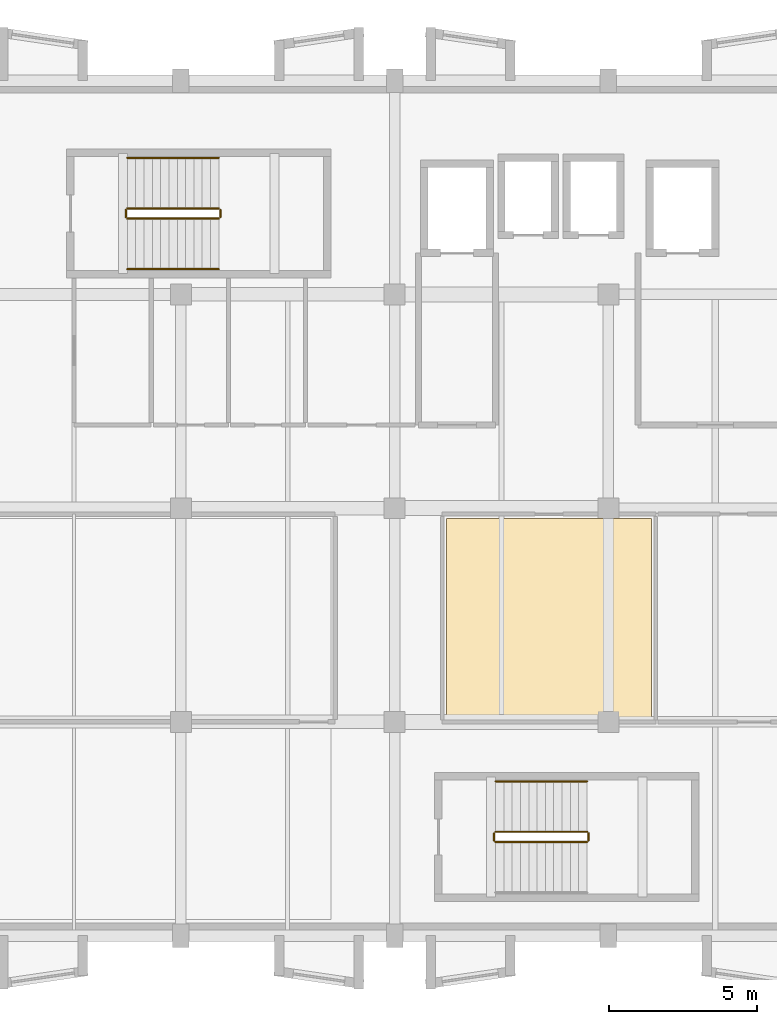
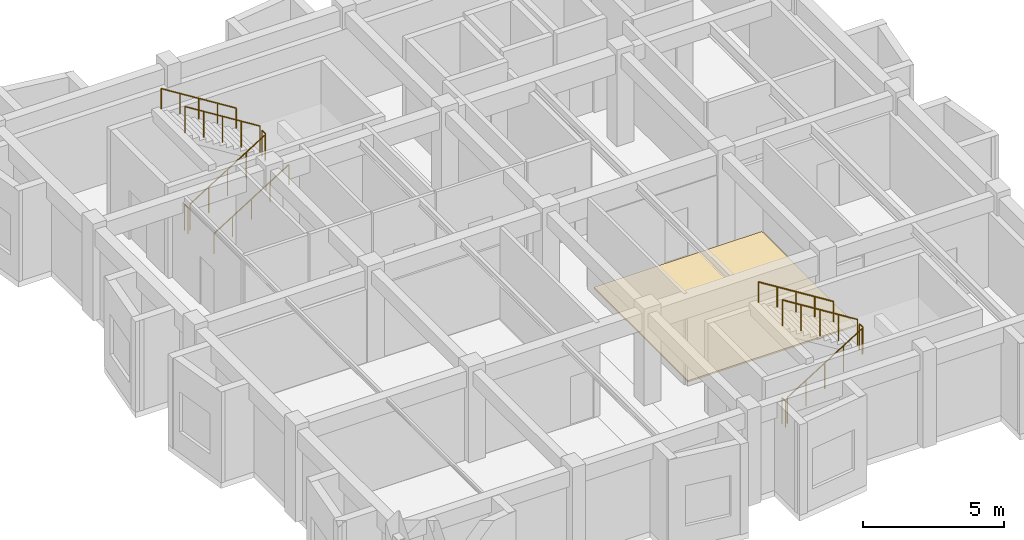
# One storey, part 99 of 99: 11 railings, 1 covering.
"""IFC4 building model written with IfcOpenShell, lengths in metres."""

from ifc_helpers import new_model, si_unit, direction, frame, origin, origin_2d, place, context, subcontext, project, spatial, polyline, circle, outline, extrude, material, layer, layer_set, type_object, element, save


model = new_model("IFC4")

# Units and contexts
model_context = context("Model", 3, precision=1e-05, world=origin(), true_north=direction((0.0, 1.0)))
body_context = subcontext(model_context, "Body", "Model", "MODEL_VIEW")
ifc_project = project(units=[si_unit("LENGTHUNIT", "METRE"), si_unit("AREAUNIT", "SQUARE_METRE"), si_unit("VOLUMEUNIT", "CUBIC_METRE"), si_unit("PLANEANGLEUNIT", "RADIAN"), si_unit("MASSUNIT", "GRAM", prefix="KILO")], contexts=[model_context])

# Site, building, storey
site_placement = place(None, origin())
site = spatial("IfcSite", under=ifc_project, at=site_placement, CompositionType="ELEMENT")
building_placement = place(site_placement, origin())
building = spatial("IfcBuilding", under=site, at=building_placement, Name="Bramveld Media Centre", CompositionType="ELEMENT")
storey_placement = place(building_placement, frame((0.0, 0.0, 13.800048828125)))
storey = spatial("IfcBuildingStorey", under=building, at=storey_placement, Name="L03", CompositionType="ELEMENT", Elevation=13.800048828125)

# Covering
ifc_material_1 = material(Name="Floating acoustic screed with smoked European oak studio flooring")
ifc_layer = layer(ifc_material_1, 0.06494140625)
ifc_layer_set = layer_set([ifc_layer], Name="Floating acoustic screed with smoked European oak studio flooring")
covering_type = type_object("IfcCoveringType", Name="COV-FLOOR-01", PredefinedType="FLOORING", material=ifc_layer_set)
covering_placement = place(storey_placement, origin())
element("IfcCovering", 1, at=covering_placement, inside=storey, type_object=covering_type, Name="Foley & Voice-Over Studio 4 finish flooring", PredefinedType="FLOORING", context=body_context, shape_type="SweptSolid", body=[
    extrude(outline(polyline([(147.35009765625, 90.550048828125), (154.25, 90.550048828125), (154.25, 97.25), (147.35009765625, 97.25), (147.35009765625, 90.550048828125)])), origin(), (0.0, 0.0, 1.0), 0.06494140625),
])

# Railings
ifc_material_2 = material(Name="Painted galvanized steel stairwell guardrail", Category="steel")
railing_type_1 = type_object("IfcRailingType", Name="RAIL-STAIR-GUARD-1150", PredefinedType="GUARDRAIL", material=ifc_material_2)
railing_1_placement = place(storey_placement, frame((136.60009765625, 107.35009765625, 0.175048828125)))
element("IfcRailing", 2, at=railing_1_placement, inside=storey, type_object=railing_type_1, Name="L03 ST-01 stair guard 1", PredefinedType="GUARDRAIL", context=body_context, shape_type="SweptSolid", body=[
    extrude(circle(Radius=0.02392578125, at=origin_2d()), frame((0.0, 0.0, 1.1259765625), z_axis=(0.848009633417, 0.0, 0.529980812513), x_axis=(0.0, 1.0, 0.0)), (0.0, 0.0, 1.0), 3.6318359375),
    extrude(circle(Radius=0.02099609375, at=origin_2d()), origin(), (0.0, 0.0, 1.0), 1.101806640625),
    extrude(circle(Radius=0.02099609375, at=origin_2d()), frame((0.77001953125, 0.0, 0.481201171875)), (0.0, 0.0, 1.0), 1.101806640625),
    extrude(circle(Radius=0.02099609375, at=origin_2d()), frame((1.5400390625, 0.0, 0.96240234375)), (0.0, 0.0, 1.0), 1.101806640625),
    extrude(circle(Radius=0.02099609375, at=origin_2d()), frame((2.309814453125, 0.0, 1.443603515625)), (0.0, 0.0, 1.0), 1.101806640625),
    extrude(circle(Radius=0.02099609375, at=origin_2d()), frame((3.079833984375, 0.0, 1.9248046875)), (0.0, 0.0, 1.0), 1.101806640625),
])
railing_2_placement = place(storey_placement, frame((139.72998046875, 107.39990234375, 2.099853515625)))
element("IfcRailing", 3, at=railing_2_placement, inside=storey, type_object=railing_type_1, Name="L03 ST-01 stair guard 2", PredefinedType="GUARDRAIL", context=body_context, shape_type="SweptSolid", body=[
    extrude(circle(Radius=0.02392578125, at=origin_2d()), frame((0.0, 0.0, 1.1259765625), z_axis=(0.0, 1.0, 0.0), x_axis=(-1.0, 0.0, 0.0)), (0.0, 0.0, 1.0), 0.25),
    extrude(circle(Radius=0.02099609375, at=origin_2d()), origin(), (0.0, 0.0, 1.0), 1.101806640625),
    extrude(circle(Radius=0.02099609375, at=origin_2d()), frame((0.0, 0.25, 0.0)), (0.0, 0.0, 1.0), 1.101806640625),
])
railing_3_placement = place(storey_placement, frame((139.679931640625, 107.699951171875, 2.27490234375)))
element("IfcRailing", 4, at=railing_3_placement, inside=storey, type_object=railing_type_1, Name="L03 ST-01 stair guard 3", PredefinedType="GUARDRAIL", context=body_context, shape_type="SweptSolid", body=[
    extrude(circle(Radius=0.02392578125, at=origin_2d()), frame((0.0, 0.0, 1.1259765625), z_axis=(-0.847979421464, 0.0, 0.530029150871), x_axis=(0.0, -1.0, 0.0)), (0.0, 0.0, 1.0), 3.632080078125),
    extrude(circle(Radius=0.02099609375, at=origin_2d()), origin(), (0.0, 0.0, 1.0), 1.101806640625),
    extrude(circle(Radius=0.02099609375, at=origin_2d()), frame((-0.77001953125, 0.0, 0.481201171875)), (0.0, 0.0, 1.0), 1.101806640625),
    extrude(circle(Radius=0.02099609375, at=origin_2d()), frame((-1.5400390625, 0.0, 0.96240234375)), (0.0, 0.0, 1.0), 1.101806640625),
    extrude(circle(Radius=0.02099609375, at=origin_2d()), frame((-2.309814453125, 0.0, 1.44384765625)), (0.0, 0.0, 1.0), 1.101806640625),
    extrude(circle(Radius=0.02099609375, at=origin_2d()), frame((-3.079833984375, 0.0, 1.925048828125)), (0.0, 0.0, 1.0), 1.101806640625),
])
railing_4_placement = place(storey_placement, frame((136.550048828125, 107.39990234375, 0.0)))
element("IfcRailing", 5, at=railing_4_placement, inside=storey, type_object=railing_type_1, Name="L03 ST-01 stair guard 4", PredefinedType="GUARDRAIL", context=body_context, shape_type="SweptSolid", body=[
    extrude(circle(Radius=0.02392578125, at=origin_2d()), frame((0.0, 0.0, 1.1259765625), z_axis=(0.0, 1.0, 0.0), x_axis=(-1.0, 0.0, 0.0)), (0.0, 0.0, 1.0), 0.25),
    extrude(circle(Radius=0.02099609375, at=origin_2d()), origin(), (0.0, 0.0, 1.0), 1.101806640625),
    extrude(circle(Radius=0.02099609375, at=origin_2d()), frame((0.0, 0.25, 0.0)), (0.0, 0.0, 1.0), 1.101806640625),
])
railing_5_placement = place(storey_placement, frame((149.0, 86.35009765625, 0.175048828125)))
element("IfcRailing", 6, at=railing_5_placement, inside=storey, type_object=railing_type_1, Name="L03 ST-02 stair guard 1", PredefinedType="GUARDRAIL", context=body_context, shape_type="SweptSolid", body=[
    extrude(circle(Radius=0.02392578125, at=origin_2d()), frame((0.0, 0.0, 1.1259765625), z_axis=(0.848028513186, 0.0, 0.529950602248), x_axis=(0.0, 1.0, 0.0)), (0.0, 0.0, 1.0), 3.632080078125),
    extrude(circle(Radius=0.02099609375, at=origin_2d()), origin(), (0.0, 0.0, 1.0), 1.101806640625),
    extrude(circle(Radius=0.02099609375, at=origin_2d()), frame((0.77001953125, 0.0, 0.481201171875)), (0.0, 0.0, 1.0), 1.101806640625),
    extrude(circle(Radius=0.02099609375, at=origin_2d()), frame((1.5400390625, 0.0, 0.96240234375)), (0.0, 0.0, 1.0), 1.101806640625),
    extrude(circle(Radius=0.02099609375, at=origin_2d()), frame((2.31005859375, 0.0, 1.443603515625)), (0.0, 0.0, 1.0), 1.101806640625),
    extrude(circle(Radius=0.02099609375, at=origin_2d()), frame((3.080078125, 0.0, 1.9248046875)), (0.0, 0.0, 1.0), 1.101806640625),
])
railing_6_placement = place(storey_placement, frame((152.1298828125, 86.39990234375, 2.099853515625)))
element("IfcRailing", 7, at=railing_6_placement, inside=storey, type_object=railing_type_1, Name="L03 ST-02 stair guard 2", PredefinedType="GUARDRAIL", context=body_context, shape_type="SweptSolid", body=[
    extrude(circle(Radius=0.02392578125, at=origin_2d()), frame((0.0, 0.0, 1.1259765625), z_axis=(0.0, 1.0, 0.0), x_axis=(-1.0, 0.0, 0.0)), (0.0, 0.0, 1.0), 0.25),
    extrude(circle(Radius=0.02099609375, at=origin_2d()), origin(), (0.0, 0.0, 1.0), 1.101806640625),
    extrude(circle(Radius=0.02099609375, at=origin_2d()), frame((0.0, 0.25, 0.0)), (0.0, 0.0, 1.0), 1.101806640625),
])
railing_7_placement = place(storey_placement, frame((152.080078125, 86.699951171875, 2.27490234375)))
element("IfcRailing", 8, at=railing_7_placement, inside=storey, type_object=railing_type_1, Name="L03 ST-02 stair guard 3", PredefinedType="GUARDRAIL", context=body_context, shape_type="SweptSolid", body=[
    extrude(circle(Radius=0.02392578125, at=origin_2d()), frame((0.0, 0.0, 1.1259765625), z_axis=(-0.847998304005, 0.0, 0.529998940003), x_axis=(0.0, -1.0, 0.0)), (0.0, 0.0, 1.0), 3.632080078125),
    extrude(circle(Radius=0.02099609375, at=origin_2d()), origin(), (0.0, 0.0, 1.0), 1.101806640625),
    extrude(circle(Radius=0.02099609375, at=origin_2d()), frame((-0.77001953125, 0.0, 0.481201171875)), (0.0, 0.0, 1.0), 1.101806640625),
    extrude(circle(Radius=0.02099609375, at=origin_2d()), frame((-1.5400390625, 0.0, 0.96240234375)), (0.0, 0.0, 1.0), 1.101806640625),
    extrude(circle(Radius=0.02099609375, at=origin_2d()), frame((-2.31005859375, 0.0, 1.44384765625)), (0.0, 0.0, 1.0), 1.101806640625),
    extrude(circle(Radius=0.02099609375, at=origin_2d()), frame((-3.080078125, 0.0, 1.925048828125)), (0.0, 0.0, 1.0), 1.101806640625),
])
railing_8_placement = place(storey_placement, frame((148.949951171875, 86.39990234375, 0.0)))
element("IfcRailing", 9, at=railing_8_placement, inside=storey, type_object=railing_type_1, Name="L03 ST-02 stair guard 4", PredefinedType="GUARDRAIL", context=body_context, shape_type="SweptSolid", body=[
    extrude(circle(Radius=0.02392578125, at=origin_2d()), frame((0.0, 0.0, 1.1259765625), z_axis=(0.0, 1.0, 0.0), x_axis=(-1.0, 0.0, 0.0)), (0.0, 0.0, 1.0), 0.25),
    extrude(circle(Radius=0.02099609375, at=origin_2d()), origin(), (0.0, 0.0, 1.0), 1.101806640625),
    extrude(circle(Radius=0.02099609375, at=origin_2d()), frame((0.0, 0.25, 0.0)), (0.0, 0.0, 1.0), 1.101806640625),
])
ifc_material_3 = material(Name="Brushed stainless steel tubular stair handrail", Category="steel")
railing_type_2 = type_object("IfcRailingType", Name="RAIL-STAIR-HAND-0920", PredefinedType="HANDRAIL", material=ifc_material_3)
railing_9_placement = place(storey_placement, frame((136.60009765625, 105.64990234375, 0.175048828125)))
element("IfcRailing", 10, at=railing_9_placement, inside=storey, type_object=railing_type_2, Name="L03 ST-01 stair handrail 1", PredefinedType="HANDRAIL", context=body_context, shape_type="SweptSolid", body=[
    extrude(circle(Radius=0.02392578125, at=origin_2d()), frame((0.0, 0.0, 0.8759765625), z_axis=(0.848009633417, 0.0, 0.529980812513), x_axis=(0.0, 1.0, 0.0)), (0.0, 0.0, 1.0), 3.6318359375),
    extrude(circle(Radius=0.02099609375, at=origin_2d()), origin(), (0.0, 0.0, 1.0), 0.851806640625),
    extrude(circle(Radius=0.02099609375, at=origin_2d()), frame((0.77001953125, 0.0, 0.481201171875)), (0.0, 0.0, 1.0), 0.851806640625),
    extrude(circle(Radius=0.02099609375, at=origin_2d()), frame((1.5400390625, 0.0, 0.96240234375)), (0.0, 0.0, 1.0), 0.851806640625),
    extrude(circle(Radius=0.02099609375, at=origin_2d()), frame((2.309814453125, 0.0, 1.443603515625)), (0.0, 0.0, 1.0), 0.851806640625),
    extrude(circle(Radius=0.02099609375, at=origin_2d()), frame((3.079833984375, 0.0, 1.9248046875)), (0.0, 0.0, 1.0), 0.851806640625),
])
railing_10_placement = place(storey_placement, frame((139.679931640625, 109.39990234375, 2.27490234375)))
element("IfcRailing", 11, at=railing_10_placement, inside=storey, type_object=railing_type_2, Name="L03 ST-01 stair handrail 2", PredefinedType="HANDRAIL", context=body_context, shape_type="SweptSolid", body=[
    extrude(circle(Radius=0.02392578125, at=origin_2d()), frame((0.0, 0.0, 0.8759765625), z_axis=(-0.847979421464, 0.0, 0.530029150871), x_axis=(0.0, -1.0, 0.0)), (0.0, 0.0, 1.0), 3.632080078125),
    extrude(circle(Radius=0.02099609375, at=origin_2d()), origin(), (0.0, 0.0, 1.0), 0.851806640625),
    extrude(circle(Radius=0.02099609375, at=origin_2d()), frame((-0.77001953125, 0.0, 0.481201171875)), (0.0, 0.0, 1.0), 0.851806640625),
    extrude(circle(Radius=0.02099609375, at=origin_2d()), frame((-1.5400390625, 0.0, 0.96240234375)), (0.0, 0.0, 1.0), 0.851806640625),
    extrude(circle(Radius=0.02099609375, at=origin_2d()), frame((-2.309814453125, 0.0, 1.44384765625)), (0.0, 0.0, 1.0), 0.851806640625),
    extrude(circle(Radius=0.02099609375, at=origin_2d()), frame((-3.079833984375, 0.0, 1.925048828125)), (0.0, 0.0, 1.0), 0.851806640625),
])
railing_11_placement = place(storey_placement, frame((152.080078125, 88.39990234375, 2.27490234375)))
element("IfcRailing", 12, at=railing_11_placement, inside=storey, type_object=railing_type_2, Name="L03 ST-02 stair handrail 2", PredefinedType="HANDRAIL", context=body_context, shape_type="SweptSolid", body=[
    extrude(circle(Radius=0.02392578125, at=origin_2d()), frame((0.0, 0.0, 0.8759765625), z_axis=(-0.847998304005, 0.0, 0.529998940003), x_axis=(0.0, -1.0, 0.0)), (0.0, 0.0, 1.0), 3.632080078125),
    extrude(circle(Radius=0.02099609375, at=origin_2d()), origin(), (0.0, 0.0, 1.0), 0.851806640625),
    extrude(circle(Radius=0.02099609375, at=origin_2d()), frame((-0.77001953125, 0.0, 0.481201171875)), (0.0, 0.0, 1.0), 0.851806640625),
    extrude(circle(Radius=0.02099609375, at=origin_2d()), frame((-1.5400390625, 0.0, 0.96240234375)), (0.0, 0.0, 1.0), 0.851806640625),
    extrude(circle(Radius=0.02099609375, at=origin_2d()), frame((-2.31005859375, 0.0, 1.44384765625)), (0.0, 0.0, 1.0), 0.851806640625),
    extrude(circle(Radius=0.02099609375, at=origin_2d()), frame((-3.080078125, 0.0, 1.925048828125)), (0.0, 0.0, 1.0), 0.851806640625),
])

save(model, "model.ifc")
